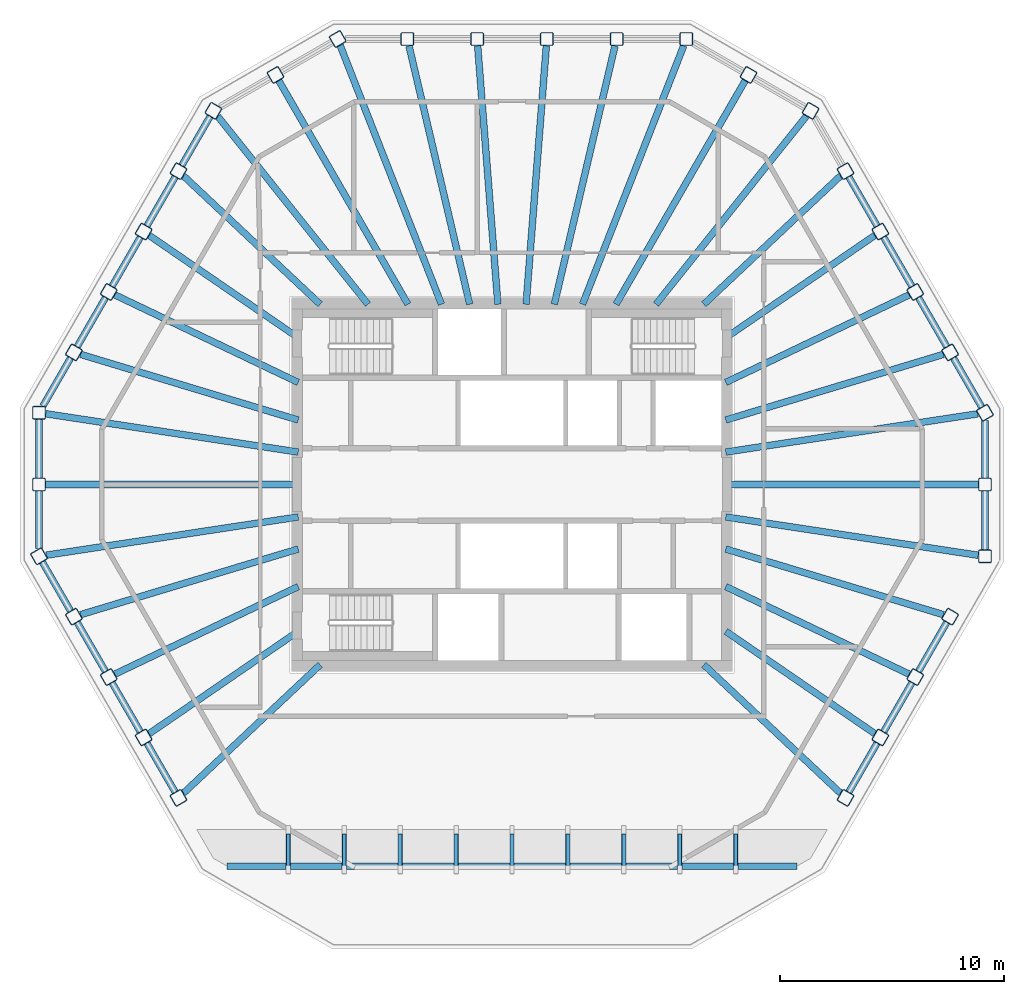
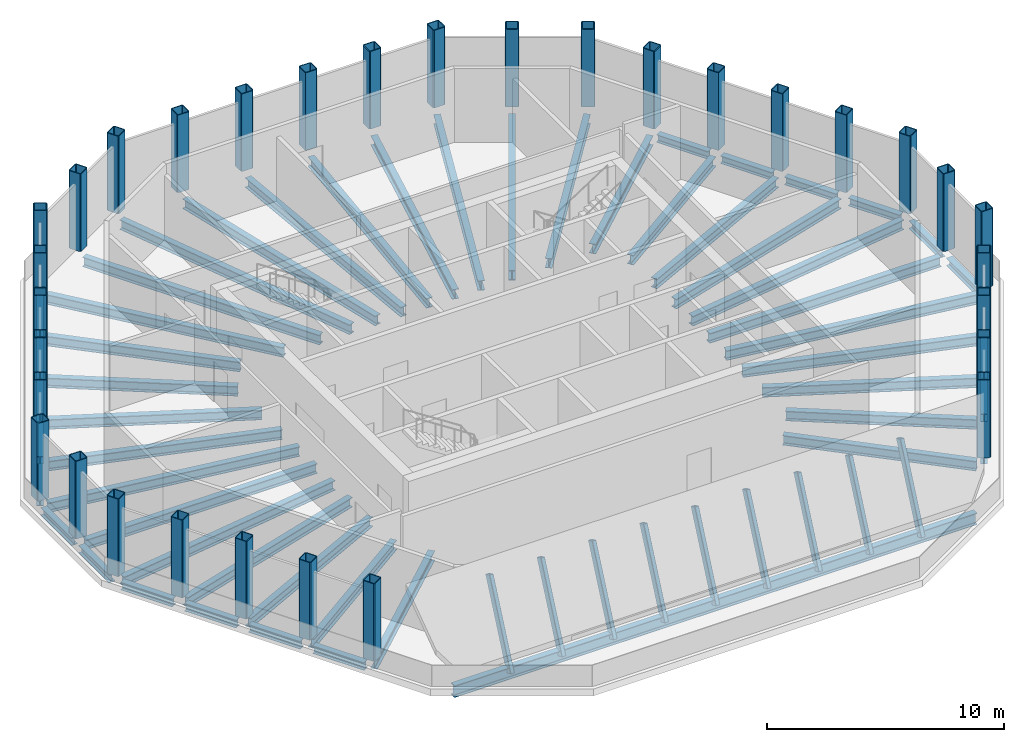
# One storey, part 1 of 5: 53 beams, 32 columns, 9 members.
"""IFC4 building model written with IfcOpenShell, lengths in metres."""

import ifcopenshell
import ifcopenshell.guid

model = None  # the IFC model being written
_history = None  # IfcOwnerHistory: only IFC2X3 demands one
_inside = {}  # id of a spatial element -> (the spatial element, [elements in it])
_under = {}  # id of a project, library or spatial element -> (it, [spatial elements below it])
_declared = {}  # id of a project -> (the project, [libraries it declares])
_typed = {}  # id of a type object -> (the type object, [elements of that type])
_made_of = {}  # id of a material, layer set ... -> (it, [elements and type objects made of it])


def new_model(schema):
    """Start an empty IFC model of exactly this schema.

    Asked for "IFC4X3", IfcOpenShell would pick the latest addendum, in which some entities
    have other attributes; the version numbers below select the first issue.
    IFC2X3 requires an IfcOwnerHistory on every rooted entity: one is made here for all.
    """
    global model, _history
    if schema == "IFC4X3":
        model = ifcopenshell.file(schema_version=(4, 3, 0, 0))
    else:
        model = ifcopenshell.file(schema=schema)
    _inside.clear()
    _under.clear()
    _declared.clear()
    _typed.clear()
    _made_of.clear()
    _history = None
    if model.schema == "IFC2X3":
        org = make("IfcOrganization", Name="unknown")
        user = make(
            "IfcPersonAndOrganization",
            ThePerson=make("IfcPerson", FamilyName="unknown"),
            TheOrganization=org,
        )
        app = make(
            "IfcApplication",
            ApplicationDeveloper=org,
            Version="unknown",
            ApplicationFullName="unknown",
            ApplicationIdentifier="unknown",
        )
        _history = make(
            "IfcOwnerHistory",
            OwningUser=user,
            OwningApplication=app,
            ChangeAction="ADDED",
            CreationDate=0,
        )
    return model


def make(cls, **values):
    """One entity of the class cls with the attributes given. An attribute that is None is left unset."""
    return model.create_entity(
        cls, **{name: value for name, value in values.items() if value is not None}
    )


def rooted(cls, **values):
    """An entity with a GlobalId (a new one), such as an element, a storey or a relation."""
    return make(cls, GlobalId=ifcopenshell.guid.new(), OwnerHistory=_history, **values)


def si_unit(unit_type, name, prefix=None):
    """IfcSIUnit, for example si_unit("LENGTHUNIT", "METRE", prefix="MILLI")."""
    return make("IfcSIUnit", UnitType=unit_type, Prefix=prefix, Name=name)


def assignment(units):
    """IfcUnitAssignment: the units of a project."""
    return None if units is None else make("IfcUnitAssignment", Units=units)


def point(xyz):
    """IfcCartesianPoint."""
    return None if xyz is None else make("IfcCartesianPoint", Coordinates=xyz)


def direction(xyz):
    """IfcDirection."""
    return None if xyz is None else make("IfcDirection", DirectionRatios=xyz)


def frame(location, z_axis=None, x_axis=None):
    """IfcAxis2Placement3D, a coordinate frame: its origin and axes. An axis left out is left unset."""
    return make(
        "IfcAxis2Placement3D",
        Location=point(location),
        Axis=direction(z_axis),
        RefDirection=direction(x_axis),
    )


def frame_2d(location, x_axis=None):
    """IfcAxis2Placement2D, a coordinate frame in the plane: its origin and x axis."""
    return make(
        "IfcAxis2Placement2D", Location=point(location), RefDirection=direction(x_axis)
    )


def origin():
    """The frame at (0, 0, 0) with its axes left unset."""
    return frame((0.0, 0.0, 0.0))


def origin_2d():
    """The frame at (0, 0) in the plane with its x axis left unset."""
    return frame_2d((0.0, 0.0))


def place(relative_to, where):
    """IfcLocalPlacement: puts the frame where relative to a parent placement (None: the world)."""
    return make(
        "IfcLocalPlacement", PlacementRelTo=relative_to, RelativePlacement=where
    )


def context(
    kind, dimensions, precision=None, world=None, true_north=None, identifier=None
):
    """IfcGeometricRepresentationContext, for example the 3D "Model" context."""
    return make(
        "IfcGeometricRepresentationContext",
        ContextIdentifier=identifier,
        ContextType=kind,
        CoordinateSpaceDimension=dimensions,
        Precision=precision,
        WorldCoordinateSystem=world,
        TrueNorth=true_north,
    )


def subcontext(parent, identifier, kind, view, scale=None):
    """IfcGeometricRepresentationSubContext, for example "Body" below "Model"."""
    return make(
        "IfcGeometricRepresentationSubContext",
        ContextIdentifier=identifier,
        ContextType=kind,
        ParentContext=parent,
        TargetScale=scale,
        TargetView=view,
    )


def project(units=None, contexts=None):
    """IfcProject with its units and contexts."""
    return rooted(
        "IfcProject",
        Name="project",
        RepresentationContexts=contexts,
        UnitsInContext=assignment(units),
    )


def spatial(cls, under=None, at=None, **own):
    """A site, building, storey or space (cls), placed at a placement, below another one or the project."""
    s = rooted(cls, ObjectPlacement=at, **own)
    if under is not None:
        _under.setdefault(under.id(), (under, []))[1].append(s)
    return s


def profile(cls, at=None, kind="AREA", **sizes):
    """A parametric profile (cls). Its sizes go by their IFC names, for example OverallWidth=200.0."""
    return make(cls, ProfileType=kind, Position=at, **sizes)


def hollow_rectangle(**sizes):
    """IfcRectangleHollowProfileDef."""
    return profile("IfcRectangleHollowProfileDef", **sizes)


def i_section(**sizes):
    """IfcIShapeProfileDef."""
    return profile("IfcIShapeProfileDef", **sizes)


def extrude(swept, where, along, depth):
    """IfcExtrudedAreaSolid: the profile swept, set in the frame where, extruded along a direction by depth."""
    return make(
        "IfcExtrudedAreaSolid",
        SweptArea=swept,
        Position=where,
        ExtrudedDirection=direction(along),
        Depth=depth,
    )


def shape(context_of_items, identifier, shape_type, items):
    """IfcShapeRepresentation: the items that make up one representation, for example the "Body"."""
    return make(
        "IfcShapeRepresentation",
        ContextOfItems=context_of_items,
        RepresentationIdentifier=identifier,
        RepresentationType=shape_type,
        Items=items,
    )


def material(Name=None, Category=None):
    """IfcMaterial."""
    return make("IfcMaterial", Name=Name, Category=Category)


def material_profile(
    of_material, cross_section, Name=None, Category=None, Priority=None
):
    """IfcMaterialProfile: a cross section and its material."""
    return make(
        "IfcMaterialProfile",
        Name=Name,
        Material=of_material,
        Profile=cross_section,
        Priority=Priority,
        Category=Category,
    )


def profile_set(profiles, Name=None, composite=None):
    """IfcMaterialProfileSet."""
    return make(
        "IfcMaterialProfileSet",
        Name=Name,
        MaterialProfiles=profiles,
        CompositeProfile=composite,
    )


def made_of(thing, what):
    """Note that an element or type object is made of a material, layer set ...; save() writes the relation."""
    if what is not None:
        _made_of.setdefault(what.id(), (what, []))[1].append(thing)
    return thing


def type_object(cls, material=None, **own):
    """A type object (cls), such as IfcWallType, which elements share."""
    return made_of(rooted(cls, **own), material)


def element(
    cls,
    number,
    at=None,
    inside=None,
    cuts=None,
    type_object=None,
    material=None,
    context=None,
    identifier="Body",
    shape_type=None,
    held_by="IfcProductDefinitionShape",
    body=None,
    shapes=None,
    **own,
):
    """One element of the class cls, such as IfcWall. Its Tag is "e" and its number.

    at: its placement. inside: the storey or other place that contains it. cuts: it is an
    opening in that element (IfcRelVoidsElement). A single representation is given by context,
    identifier, shape_type and body (its items); several are given by shapes. held_by: the class
    of the entity that holds the representations. save() writes the other relations.
    """
    e = rooted(cls, Tag="e%d" % number, ObjectPlacement=at, **own)
    if body is not None:
        shapes = [shape(context, identifier, shape_type, body)]
    if shapes is not None:
        e.Representation = make(held_by, Representations=shapes)
    if inside is not None:
        _inside.setdefault(inside.id(), (inside, []))[1].append(e)
    if cuts is not None:
        rooted(
            "IfcRelVoidsElement", RelatingBuildingElement=cuts, RelatedOpeningElement=e
        )
    if type_object is not None:
        _typed.setdefault(type_object.id(), (type_object, []))[1].append(e)
    return made_of(e, material)


def aggregate(whole, parts):
    """IfcRelAggregates: a whole, such as a stair, and the parts it consists of."""
    return rooted("IfcRelAggregates", RelatingObject=whole, RelatedObjects=parts)


def save(model, path):
    """Write the relations noted so far, then the file.

    IfcRelAggregates (storeys below a building ...), IfcRelContainedInSpatialStructure (elements
    in a storey), IfcRelDefinesByType, IfcRelAssociatesMaterial and IfcRelDeclares: one each for
    every whole, place, type object, material and project.
    """
    for whole, parts in _under.values():
        aggregate(whole, parts)
    for where, things in _inside.values():
        rooted(
            "IfcRelContainedInSpatialStructure",
            RelatedElements=things,
            RelatingStructure=where,
        )
    for kind, things in _typed.values():
        rooted("IfcRelDefinesByType", RelatedObjects=things, RelatingType=kind)
    for what, things in _made_of.values():
        rooted("IfcRelAssociatesMaterial", RelatedObjects=things, RelatingMaterial=what)
    for by, libraries in _declared.values():
        rooted("IfcRelDeclares", RelatingContext=by, RelatedDefinitions=libraries)
    model.write(path)


model = new_model("IFC4")

# Units and contexts
model_context = context("Model", 3, precision=1e-05, world=origin(), true_north=direction((0.0, 1.0)))
body_context = subcontext(model_context, "Body", "Model", "MODEL_VIEW")
ifc_project = project(units=[si_unit("LENGTHUNIT", "METRE"), si_unit("AREAUNIT", "SQUARE_METRE"), si_unit("VOLUMEUNIT", "CUBIC_METRE"), si_unit("PLANEANGLEUNIT", "RADIAN"), si_unit("MASSUNIT", "GRAM", prefix="KILO")], contexts=[model_context])

# Site, building, storey
site_placement = place(None, origin())
site = spatial("IfcSite", under=ifc_project, at=site_placement, CompositionType="ELEMENT")
building_placement = place(site_placement, origin())
building = spatial("IfcBuilding", under=site, at=building_placement, Name="Frailejon Research Tower", CompositionType="ELEMENT")
storey_placement = place(building_placement, frame((0.0, 0.0, 344.60009765625)))
storey = spatial("IfcBuildingStorey", under=building, at=storey_placement, Name="L77", CompositionType="ELEMENT", Elevation=344.60009765625)

# Columns
ifc_material_1 = material(Name="Steel S355", Category="steel")
ifc_material_profile_1 = material_profile(ifc_material_1, hollow_rectangle(XDim=0.60009765625, YDim=0.60009765625, WallThickness=0.0400390625, InnerFilletRadius=0.0400390625, OuterFilletRadius=0.080078125, at=origin_2d()), Name="Crown column")
ifc_profile_set_1 = profile_set([ifc_material_profile_1], Name="Steel S355")
column_type = type_object("IfcColumnType", Name="Crown column", PredefinedType="COLUMN", material=ifc_profile_set_1)
for number, where, z_axis, x_axis, name in (
    (1, (21.12744140625, -3.2060546875, 0.0), (0.0, 0.0, 1.0), (0.0, 1.0, 0.0), "Column C01"),
    (2, (21.12744140625, 0.0, 0.0), (0.0, 0.0, 1.0), (0.0, 1.0, 0.0), "Column C02"),
    (3, (21.12744140625, 3.2060546875, 0.0), (0.0, 0.0, 1.0), (-0.5, 0.866025403784, 0.0), "Column C03"),
    (4, (19.570068359375, 5.903564453125, 0.0), (0.0, 0.0, 1.0), (-0.5, 0.866025403784, 0.0), "Column C04"),
    (5, (18.0126953125, 8.601318359375, 0.0), (0.0, 0.0, 1.0), (-0.5, 0.866025403784, 0.0), "Column C05"),
    (6, (16.455078125, 11.298828125, 0.0), (0.0, 0.0, 1.0), (-0.5, 0.866025403784, 0.0), "Column C06"),
    (7, (14.897705078125, 13.996337890625, 0.0), (0.0, 0.0, 1.0), (-0.5, 0.866025403784, 0.0), "Column C07"),
    (8, (13.34033203125, 16.69384765625, 0.0), (0.0, 0.0, 1.0), (-0.866025403784, 0.5, 0.0), "Column C08"),
    (9, (10.563720703125, 18.297119140625, 0.0), (0.0, 0.0, 1.0), (-0.866025403784, 0.5, 0.0), "Column C09"),
    (10, (7.787109375, 19.89990234375, 0.0), (0.0, 0.0, 1.0), (-1.0, 0.0, 0.0), "Column C10"),
    (11, (4.67236328125, 19.89990234375, 0.0), (0.0, 0.0, 1.0), (-1.0, 0.0, 0.0), "Column C11"),
    (12, (1.557373046875, 19.89990234375, 0.0), (0.0, 0.0, 1.0), (-1.0, 0.0, 0.0), "Column C12"),
    (13, (-1.557373046875, 19.89990234375, 0.0), (0.0, 0.0, 1.0), (-1.0, 0.0, 0.0), "Column C13"),
    (14, (-4.67236328125, 19.89990234375, 0.0), (0.0, 0.0, 1.0), (-1.0, 0.0, 0.0), "Column C14"),
    (15, (-7.787109375, 19.89990234375, 0.0), (0.0, 0.0, 1.0), (-0.866025403784, -0.5, 0.0), "Column C15"),
    (16, (-10.563720703125, 18.297119140625, 0.0), (0.0, 0.0, 1.0), (-0.866025403784, -0.5, 0.0), "Column C16"),
    (17, (-13.34033203125, 16.69384765625, 0.0), (0.0, 0.0, 1.0), (-0.5, -0.866025403784, 0.0), "Column C17"),
    (18, (-14.897705078125, 13.996337890625, 0.0), (0.0, 0.0, 1.0), (-0.5, -0.866025403784, 0.0), "Column C18"),
    (19, (-16.455078125, 11.298828125, 0.0), (0.0, 0.0, 1.0), (-0.5, -0.866025403784, 0.0), "Column C19"),
    (20, (-18.0126953125, 8.601318359375, 0.0), (0.0, 0.0, 1.0), (-0.5, -0.866025403784, 0.0), "Column C20"),
    (21, (-19.570068359375, 5.903564453125, 0.0), (0.0, 0.0, 1.0), (-0.5, -0.866025403784, 0.0), "Column C21"),
    (22, (-21.12744140625, 3.2060546875, 0.0), (0.0, 0.0, 1.0), (0.0, -1.0, 0.0), "Column C22"),
    (23, (-21.12744140625, 0.0, 0.0), (0.0, 0.0, 1.0), (0.0, -1.0, 0.0), "Column C23"),
    (24, (-21.12744140625, -3.2060546875, 0.0), (0.0, 0.0, 1.0), (0.5, -0.866025403784, 0.0), "Column C24"),
    (25, (-19.570068359375, -5.903564453125, 0.0), (0.0, 0.0, 1.0), (0.5, -0.866025403784, 0.0), "Column C25"),
    (26, (-18.0126953125, -8.601318359375, 0.0), (0.0, 0.0, 1.0), (0.5, -0.866025403784, 0.0), "Column C26"),
    (27, (-16.455078125, -11.298828125, 0.0), (0.0, 0.0, 1.0), (0.5, -0.866025403784, 0.0), "Column C27"),
    (28, (-14.897705078125, -13.996337890625, 0.0), (0.0, 0.0, 1.0), (0.5, -0.866025403784, 0.0), "Column C28"),
    (29, (14.897705078125, -13.996337890625, 0.0), (0.0, 0.0, 1.0), (0.5, 0.866025403784, 0.0), "Column C39"),
    (30, (16.455078125, -11.298828125, 0.0), (0.0, 0.0, 1.0), (0.5, 0.866025403784, 0.0), "Column C40"),
    (31, (18.0126953125, -8.601318359375, 0.0), (0.0, 0.0, 1.0), (0.5, 0.866025403784, 0.0), "Column C41"),
    (32, (19.570068359375, -5.903564453125, 0.0), (0.0, 0.0, 1.0), (0.5, 0.866025403784, 0.0), "Column C42"),
):
    element("IfcColumn", number, at=place(storey_placement, frame(where, z_axis=z_axis, x_axis=x_axis)), inside=storey, type_object=column_type, Name=name, PredefinedType="COLUMN", context=body_context, shape_type="SweptSolid", body=[
        extrude(hollow_rectangle(XDim=0.60009765625, YDim=0.60009765625, WallThickness=0.0400390625, InnerFilletRadius=0.0400390625, OuterFilletRadius=0.080078125, at=origin_2d()), origin(), (0.0, 0.0, 1.0), 4.0),
    ])

# Beams
ifc_material_2 = material(Name="Steel S355", Category="steel")
ifc_material_profile_2 = material_profile(ifc_material_2, i_section(OverallWidth=0.300048828125, OverallDepth=0.60009765625, WebThickness=0.015380859375, FlangeThickness=0.030029296875, FilletRadius=0.027099609375, at=origin_2d()), Name="HE 600 B")
ifc_profile_set_2 = profile_set([ifc_material_profile_2], Name="Steel S355")
beam_type_1 = type_object("IfcBeamType", Name="Crown chord beam", PredefinedType="BEAM", material=ifc_profile_set_2)
beam_1_placement = place(storey_placement, frame((12.7236328125, -17.050048828125, -0.650146484375), z_axis=(-1.0, 0.0, 0.0), x_axis=(0.0, -1.0, 0.0)))
element("IfcBeam", 33, at=beam_1_placement, inside=storey, type_object=beam_type_1, Name="Crown chord beam", PredefinedType="BEAM", context=body_context, shape_type="SweptSolid", body=[
    extrude(i_section(OverallWidth=0.300048828125, OverallDepth=0.60009765625, WebThickness=0.015380859375, FlangeThickness=0.030029296875, FilletRadius=0.027099609375, at=origin_2d()), origin(), (0.0, 0.0, 1.0), 25.447265625),
])
ifc_material_3 = material(Name="Steel S355", Category="steel")
ifc_material_profile_3 = material_profile(ifc_material_3, i_section(OverallWidth=0.300048828125, OverallDepth=0.5, WebThickness=0.014404296875, FlangeThickness=0.028076171875, FilletRadius=0.027099609375, at=origin_2d()), Name="HE 500 B")
ifc_profile_set_3 = profile_set([ifc_material_profile_3], Name="Steel S355")
beam_type_2 = type_object("IfcBeamType", Name="Crown girder", PredefinedType="BEAM", material=ifc_profile_set_3)
beam_2_placement = place(storey_placement, frame((20.827392578125, -3.16064453125, -0.60009765625), z_axis=(-0.988679931641, 0.150039970575, 0.0), x_axis=(-0.150039970575, -0.988679931641, 0.0)))
element("IfcBeam", 34, at=beam_2_placement, inside=storey, type_object=beam_type_2, Name="Crown girder", PredefinedType="BEAM", context=body_context, shape_type="SweptSolid", body=[
    extrude(i_section(OverallWidth=0.300048828125, OverallDepth=0.5, WebThickness=0.014404296875, FlangeThickness=0.028076171875, FilletRadius=0.027099609375, at=origin_2d()), origin(), (0.0, 0.0, 1.0), 11.406494140625),
])
beam_3_placement = place(storey_placement, frame((20.827392578125, 0.0, -0.60009765625), z_axis=(-1.0, 0.0, 0.0), x_axis=(0.0, -1.0, 0.0)))
element("IfcBeam", 35, at=beam_3_placement, inside=storey, type_object=beam_type_2, Name="Crown girder", PredefinedType="BEAM", context=body_context, shape_type="SweptSolid", body=[
    extrude(i_section(OverallWidth=0.300048828125, OverallDepth=0.5, WebThickness=0.014404296875, FlangeThickness=0.028076171875, FilletRadius=0.027099609375, at=origin_2d()), origin(), (0.0, 0.0, 1.0), 11.27734375),
])
beam_4_placement = place(storey_placement, frame((20.80908203125, 3.15771484375, -0.60009765625), z_axis=(-0.988681897443, -0.150027016465, 0.0), x_axis=(0.150027016465, -0.988681897443, 0.0)))
element("IfcBeam", 36, at=beam_4_placement, inside=storey, type_object=beam_type_2, Name="Crown girder", PredefinedType="BEAM", context=body_context, shape_type="SweptSolid", body=[
    extrude(i_section(OverallWidth=0.300048828125, OverallDepth=0.5, WebThickness=0.014404296875, FlangeThickness=0.028076171875, FilletRadius=0.027099609375, at=origin_2d()), origin(), (0.0, 0.0, 1.0), 11.387939453125),
])
beam_5_placement = place(storey_placement, frame((19.275146484375, 5.814697265625, -0.60009765625), z_axis=(-0.957383273928, -0.288820475041, 0.0), x_axis=(0.288820475041, -0.957383273928, 0.0)))
element("IfcBeam", 37, at=beam_5_placement, inside=storey, type_object=beam_type_2, Name="Crown girder", PredefinedType="BEAM", context=body_context, shape_type="SweptSolid", body=[
    extrude(i_section(OverallWidth=0.300048828125, OverallDepth=0.5, WebThickness=0.014404296875, FlangeThickness=0.028076171875, FilletRadius=0.027099609375, at=origin_2d()), origin(), (0.0, 0.0, 1.0), 10.157958984375),
])
beam_6_placement = place(storey_placement, frame((17.7412109375, 8.471435546875, -0.60009765625), z_axis=(-0.902407599348, -0.430883423491, 0.0), x_axis=(0.430883423491, -0.902407599348, 0.0)))
element("IfcBeam", 38, at=beam_6_placement, inside=storey, type_object=beam_type_2, Name="Crown girder", PredefinedType="BEAM", context=body_context, shape_type="SweptSolid", body=[
    extrude(i_section(OverallWidth=0.300048828125, OverallDepth=0.5, WebThickness=0.014404296875, FlangeThickness=0.028076171875, FilletRadius=0.027099609375, at=origin_2d()), origin(), (0.0, 0.0, 1.0), 9.076904296875),
])
beam_7_placement = place(storey_placement, frame((16.20703125, 11.12841796875, -0.60009765625), z_axis=(-0.824367295754, -0.566055263814, 0.0), x_axis=(0.566055263814, -0.824367295754, 0.0)))
element("IfcBeam", 39, at=beam_7_placement, inside=storey, type_object=beam_type_2, Name="Crown girder", PredefinedType="BEAM", context=body_context, shape_type="SweptSolid", body=[
    extrude(i_section(OverallWidth=0.300048828125, OverallDepth=0.5, WebThickness=0.014404296875, FlangeThickness=0.028076171875, FilletRadius=0.027099609375, at=origin_2d()), origin(), (0.0, 0.0, 1.0), 8.0751953125),
])
beam_8_placement = place(storey_placement, frame((14.673095703125, 13.785400390625, -0.60009765625), z_axis=(-0.728812369992, -0.684713465141, 0.0), x_axis=(0.684713465141, -0.728812369992, 0.0)))
element("IfcBeam", 40, at=beam_8_placement, inside=storey, type_object=beam_type_2, Name="Crown girder", PredefinedType="BEAM", context=body_context, shape_type="SweptSolid", body=[
    extrude(i_section(OverallWidth=0.300048828125, OverallDepth=0.5, WebThickness=0.014404296875, FlangeThickness=0.028076171875, FilletRadius=0.027099609375, at=origin_2d()), origin(), (0.0, 0.0, 1.0), 8.376220703125),
])
beam_9_placement = place(storey_placement, frame((13.15087890625, 16.456787109375, -0.60009765625), z_axis=(-0.624277186009, -0.781202915399, 0.0), x_axis=(0.781202915399, -0.624277186009, 0.0)))
element("IfcBeam", 41, at=beam_9_placement, inside=storey, type_object=beam_type_2, Name="Crown girder", PredefinedType="BEAM", context=body_context, shape_type="SweptSolid", body=[
    extrude(i_section(OverallWidth=0.300048828125, OverallDepth=0.5, WebThickness=0.014404296875, FlangeThickness=0.028076171875, FilletRadius=0.027099609375, at=origin_2d()), origin(), (0.0, 0.0, 1.0), 10.76123046875),
])
beam_10_placement = place(storey_placement, frame((10.413818359375, 18.037109375, -0.60009765625), z_axis=(-0.500005279996, -0.866022355356, 0.0), x_axis=(0.866022355356, -0.500005279996, 0.0)))
element("IfcBeam", 42, at=beam_10_placement, inside=storey, type_object=beam_type_2, Name="Crown girder", PredefinedType="BEAM", context=body_context, shape_type="SweptSolid", body=[
    extrude(i_section(OverallWidth=0.300048828125, OverallDepth=0.5, WebThickness=0.014404296875, FlangeThickness=0.028076171875, FilletRadius=0.027099609375, at=origin_2d()), origin(), (0.0, 0.0, 1.0), 11.5322265625),
])
beam_11_placement = place(storey_placement, frame((7.669921875, 19.60009765625, -0.60009765625), z_axis=(-0.364412707951, -0.931237552015, 0.0), x_axis=(0.931237552015, -0.364412707951, 0.0)))
element("IfcBeam", 43, at=beam_11_placement, inside=storey, type_object=beam_type_2, Name="Crown girder", PredefinedType="BEAM", context=body_context, shape_type="SweptSolid", body=[
    extrude(i_section(OverallWidth=0.300048828125, OverallDepth=0.5, WebThickness=0.014404296875, FlangeThickness=0.028076171875, FilletRadius=0.027099609375, at=origin_2d()), origin(), (0.0, 0.0, 1.0), 12.40283203125),
])
beam_12_placement = place(storey_placement, frame((4.601806640625, 19.60009765625, -0.60009765625), z_axis=(-0.228561016932, -0.973529589452, 0.0), x_axis=(0.973529589452, -0.228561016932, 0.0)))
element("IfcBeam", 44, at=beam_12_placement, inside=storey, type_object=beam_type_2, Name="Crown girder", PredefinedType="BEAM", context=body_context, shape_type="SweptSolid", body=[
    extrude(i_section(OverallWidth=0.300048828125, OverallDepth=0.5, WebThickness=0.014404296875, FlangeThickness=0.028076171875, FilletRadius=0.027099609375, at=origin_2d()), origin(), (0.0, 0.0, 1.0), 11.864013671875),
])
for number, where, z_axis, x_axis, name in (
    (45, (1.533935546875, 19.60009765625, -0.60009765625), (-0.078033956508, -0.996950701706, 0.0), (0.996950701706, -0.078033956508, 0.0), "Crown girder"),
    (46, (-1.533935546875, 19.60009765625, -0.60009765625), (0.078033956508, -0.996950701706, 0.0), (0.996950701706, 0.078033956508, 0.0), "Crown girder"),
):
    element("IfcBeam", number, at=place(storey_placement, frame(where, z_axis=z_axis, x_axis=x_axis)), inside=storey, type_object=beam_type_2, Name=name, PredefinedType="BEAM", context=body_context, shape_type="SweptSolid", body=[
        extrude(i_section(OverallWidth=0.300048828125, OverallDepth=0.5, WebThickness=0.014404296875, FlangeThickness=0.028076171875, FilletRadius=0.027099609375, at=origin_2d()), origin(), (0.0, 0.0, 1.0), 11.58544921875),
    ])
beam_13_placement = place(storey_placement, frame((-4.601806640625, 19.60009765625, -0.60009765625), z_axis=(0.228561016932, -0.973529589452, 0.0), x_axis=(0.973529589452, 0.228561016932, 0.0)))
element("IfcBeam", 47, at=beam_13_placement, inside=storey, type_object=beam_type_2, Name="Crown girder", PredefinedType="BEAM", context=body_context, shape_type="SweptSolid", body=[
    extrude(i_section(OverallWidth=0.300048828125, OverallDepth=0.5, WebThickness=0.014404296875, FlangeThickness=0.028076171875, FilletRadius=0.027099609375, at=origin_2d()), origin(), (0.0, 0.0, 1.0), 11.864013671875),
])
beam_14_placement = place(storey_placement, frame((-7.676513671875, 19.617431640625, -0.60009765625), z_axis=(0.364399348581, -0.931242779706, 0.0), x_axis=(0.931242779706, 0.364399348581, 0.0)))
element("IfcBeam", 48, at=beam_14_placement, inside=storey, type_object=beam_type_2, Name="Crown girder", PredefinedType="BEAM", context=body_context, shape_type="SweptSolid", body=[
    extrude(i_section(OverallWidth=0.300048828125, OverallDepth=0.5, WebThickness=0.014404296875, FlangeThickness=0.028076171875, FilletRadius=0.027099609375, at=origin_2d()), origin(), (0.0, 0.0, 1.0), 12.42138671875),
])
beam_15_placement = place(storey_placement, frame((-10.413818359375, 18.037109375, -0.60009765625), z_axis=(0.500005279996, -0.866022355356, 0.0), x_axis=(0.866022355356, 0.500005279996, 0.0)))
element("IfcBeam", 49, at=beam_15_placement, inside=storey, type_object=beam_type_2, Name="Crown girder", PredefinedType="BEAM", context=body_context, shape_type="SweptSolid", body=[
    extrude(i_section(OverallWidth=0.300048828125, OverallDepth=0.5, WebThickness=0.014404296875, FlangeThickness=0.028076171875, FilletRadius=0.027099609375, at=origin_2d()), origin(), (0.0, 0.0, 1.0), 11.5322265625),
])
beam_16_placement = place(storey_placement, frame((-13.13916015625, 16.442138671875, -0.60009765625), z_axis=(0.624276456161, -0.781203498637, 0.0), x_axis=(0.781203498637, 0.624276456161, 0.0)))
element("IfcBeam", 50, at=beam_16_placement, inside=storey, type_object=beam_type_2, Name="Crown girder", PredefinedType="BEAM", context=body_context, shape_type="SweptSolid", body=[
    extrude(i_section(OverallWidth=0.300048828125, OverallDepth=0.5, WebThickness=0.014404296875, FlangeThickness=0.028076171875, FilletRadius=0.027099609375, at=origin_2d()), origin(), (0.0, 0.0, 1.0), 10.742431640625),
])
beam_17_placement = place(storey_placement, frame((-14.673095703125, 13.785400390625, -0.60009765625), z_axis=(0.728812369992, -0.684713465141, 0.0), x_axis=(0.684713465141, 0.728812369992, 0.0)))
element("IfcBeam", 51, at=beam_17_placement, inside=storey, type_object=beam_type_2, Name="Crown girder", PredefinedType="BEAM", context=body_context, shape_type="SweptSolid", body=[
    extrude(i_section(OverallWidth=0.300048828125, OverallDepth=0.5, WebThickness=0.014404296875, FlangeThickness=0.028076171875, FilletRadius=0.027099609375, at=origin_2d()), origin(), (0.0, 0.0, 1.0), 8.376220703125),
])
beam_18_placement = place(storey_placement, frame((-16.20703125, 11.12841796875, -0.60009765625), z_axis=(0.824367295754, -0.566055263814, 0.0), x_axis=(0.566055263814, 0.824367295754, 0.0)))
element("IfcBeam", 52, at=beam_18_placement, inside=storey, type_object=beam_type_2, Name="Crown girder", PredefinedType="BEAM", context=body_context, shape_type="SweptSolid", body=[
    extrude(i_section(OverallWidth=0.300048828125, OverallDepth=0.5, WebThickness=0.014404296875, FlangeThickness=0.028076171875, FilletRadius=0.027099609375, at=origin_2d()), origin(), (0.0, 0.0, 1.0), 8.0751953125),
])
beam_19_placement = place(storey_placement, frame((-17.7412109375, 8.471435546875, -0.60009765625), z_axis=(0.902407599348, -0.430883423491, 0.0), x_axis=(0.430883423491, 0.902407599348, 0.0)))
element("IfcBeam", 53, at=beam_19_placement, inside=storey, type_object=beam_type_2, Name="Crown girder", PredefinedType="BEAM", context=body_context, shape_type="SweptSolid", body=[
    extrude(i_section(OverallWidth=0.300048828125, OverallDepth=0.5, WebThickness=0.014404296875, FlangeThickness=0.028076171875, FilletRadius=0.027099609375, at=origin_2d()), origin(), (0.0, 0.0, 1.0), 9.076904296875),
])
beam_20_placement = place(storey_placement, frame((-19.275146484375, 5.814697265625, -0.60009765625), z_axis=(0.957383273928, -0.288820475041, 0.0), x_axis=(0.288820475041, 0.957383273928, 0.0)))
element("IfcBeam", 54, at=beam_20_placement, inside=storey, type_object=beam_type_2, Name="Crown girder", PredefinedType="BEAM", context=body_context, shape_type="SweptSolid", body=[
    extrude(i_section(OverallWidth=0.300048828125, OverallDepth=0.5, WebThickness=0.014404296875, FlangeThickness=0.028076171875, FilletRadius=0.027099609375, at=origin_2d()), origin(), (0.0, 0.0, 1.0), 10.157958984375),
])
beam_21_placement = place(storey_placement, frame((-20.827392578125, 3.16064453125, -0.60009765625), z_axis=(0.988679931641, -0.150039970575, 0.0), x_axis=(0.150039970575, 0.988679931641, 0.0)))
element("IfcBeam", 55, at=beam_21_placement, inside=storey, type_object=beam_type_2, Name="Crown girder", PredefinedType="BEAM", context=body_context, shape_type="SweptSolid", body=[
    extrude(i_section(OverallWidth=0.300048828125, OverallDepth=0.5, WebThickness=0.014404296875, FlangeThickness=0.028076171875, FilletRadius=0.027099609375, at=origin_2d()), origin(), (0.0, 0.0, 1.0), 11.406494140625),
])
beam_22_placement = place(storey_placement, frame((-20.827392578125, 0.0, -0.60009765625), z_axis=(1.0, 0.0, 0.0), x_axis=(0.0, 1.0, 0.0)))
element("IfcBeam", 56, at=beam_22_placement, inside=storey, type_object=beam_type_2, Name="Crown girder", PredefinedType="BEAM", context=body_context, shape_type="SweptSolid", body=[
    extrude(i_section(OverallWidth=0.300048828125, OverallDepth=0.5, WebThickness=0.014404296875, FlangeThickness=0.028076171875, FilletRadius=0.027099609375, at=origin_2d()), origin(), (0.0, 0.0, 1.0), 11.27734375),
])
beam_23_placement = place(storey_placement, frame((-20.80908203125, -3.15771484375, -0.60009765625), z_axis=(0.988681897443, 0.150027016465, 0.0), x_axis=(-0.150027016465, 0.988681897443, 0.0)))
element("IfcBeam", 57, at=beam_23_placement, inside=storey, type_object=beam_type_2, Name="Crown girder", PredefinedType="BEAM", context=body_context, shape_type="SweptSolid", body=[
    extrude(i_section(OverallWidth=0.300048828125, OverallDepth=0.5, WebThickness=0.014404296875, FlangeThickness=0.028076171875, FilletRadius=0.027099609375, at=origin_2d()), origin(), (0.0, 0.0, 1.0), 11.387939453125),
])
beam_24_placement = place(storey_placement, frame((-19.275146484375, -5.814697265625, -0.60009765625), z_axis=(0.957383273928, 0.288820475041, 0.0), x_axis=(-0.288820475041, 0.957383273928, 0.0)))
element("IfcBeam", 58, at=beam_24_placement, inside=storey, type_object=beam_type_2, Name="Crown girder", PredefinedType="BEAM", context=body_context, shape_type="SweptSolid", body=[
    extrude(i_section(OverallWidth=0.300048828125, OverallDepth=0.5, WebThickness=0.014404296875, FlangeThickness=0.028076171875, FilletRadius=0.027099609375, at=origin_2d()), origin(), (0.0, 0.0, 1.0), 10.157958984375),
])
beam_25_placement = place(storey_placement, frame((-17.7412109375, -8.471435546875, -0.60009765625), z_axis=(0.902407599348, 0.430883423491, 0.0), x_axis=(-0.430883423491, 0.902407599348, 0.0)))
element("IfcBeam", 59, at=beam_25_placement, inside=storey, type_object=beam_type_2, Name="Crown girder", PredefinedType="BEAM", context=body_context, shape_type="SweptSolid", body=[
    extrude(i_section(OverallWidth=0.300048828125, OverallDepth=0.5, WebThickness=0.014404296875, FlangeThickness=0.028076171875, FilletRadius=0.027099609375, at=origin_2d()), origin(), (0.0, 0.0, 1.0), 9.076904296875),
])
beam_26_placement = place(storey_placement, frame((-16.20703125, -11.12841796875, -0.60009765625), z_axis=(0.824367295754, 0.566055263814, 0.0), x_axis=(-0.566055263814, 0.824367295754, 0.0)))
element("IfcBeam", 60, at=beam_26_placement, inside=storey, type_object=beam_type_2, Name="Crown girder", PredefinedType="BEAM", context=body_context, shape_type="SweptSolid", body=[
    extrude(i_section(OverallWidth=0.300048828125, OverallDepth=0.5, WebThickness=0.014404296875, FlangeThickness=0.028076171875, FilletRadius=0.027099609375, at=origin_2d()), origin(), (0.0, 0.0, 1.0), 8.0751953125),
])
for number, where, z_axis, x_axis, name in (
    (61, (-14.673095703125, -13.785400390625, -0.60009765625), (0.728812369992, 0.684713465141, 0.0), (-0.684713465141, 0.728812369992, 0.0), "Crown girder"),
    (62, (14.673095703125, -13.785400390625, -0.60009765625), (-0.728812369992, 0.684713465141, 0.0), (-0.684713465141, -0.728812369992, 0.0), "Crown girder"),
):
    element("IfcBeam", number, at=place(storey_placement, frame(where, z_axis=z_axis, x_axis=x_axis)), inside=storey, type_object=beam_type_2, Name=name, PredefinedType="BEAM", context=body_context, shape_type="SweptSolid", body=[
        extrude(i_section(OverallWidth=0.300048828125, OverallDepth=0.5, WebThickness=0.014404296875, FlangeThickness=0.028076171875, FilletRadius=0.027099609375, at=origin_2d()), origin(), (0.0, 0.0, 1.0), 8.376220703125),
    ])
beam_27_placement = place(storey_placement, frame((16.20703125, -11.12841796875, -0.60009765625), z_axis=(-0.824367295754, 0.566055263814, 0.0), x_axis=(-0.566055263814, -0.824367295754, 0.0)))
element("IfcBeam", 63, at=beam_27_placement, inside=storey, type_object=beam_type_2, Name="Crown girder", PredefinedType="BEAM", context=body_context, shape_type="SweptSolid", body=[
    extrude(i_section(OverallWidth=0.300048828125, OverallDepth=0.5, WebThickness=0.014404296875, FlangeThickness=0.028076171875, FilletRadius=0.027099609375, at=origin_2d()), origin(), (0.0, 0.0, 1.0), 8.0751953125),
])
beam_28_placement = place(storey_placement, frame((17.7412109375, -8.471435546875, -0.60009765625), z_axis=(-0.902407599348, 0.430883423491, 0.0), x_axis=(-0.430883423491, -0.902407599348, 0.0)))
element("IfcBeam", 64, at=beam_28_placement, inside=storey, type_object=beam_type_2, Name="Crown girder", PredefinedType="BEAM", context=body_context, shape_type="SweptSolid", body=[
    extrude(i_section(OverallWidth=0.300048828125, OverallDepth=0.5, WebThickness=0.014404296875, FlangeThickness=0.028076171875, FilletRadius=0.027099609375, at=origin_2d()), origin(), (0.0, 0.0, 1.0), 9.076904296875),
])
beam_29_placement = place(storey_placement, frame((19.275146484375, -5.814697265625, -0.60009765625), z_axis=(-0.957383273928, 0.288820475041, 0.0), x_axis=(-0.288820475041, -0.957383273928, 0.0)))
element("IfcBeam", 65, at=beam_29_placement, inside=storey, type_object=beam_type_2, Name="Crown girder", PredefinedType="BEAM", context=body_context, shape_type="SweptSolid", body=[
    extrude(i_section(OverallWidth=0.300048828125, OverallDepth=0.5, WebThickness=0.014404296875, FlangeThickness=0.028076171875, FilletRadius=0.027099609375, at=origin_2d()), origin(), (0.0, 0.0, 1.0), 10.157958984375),
])

# Members
ifc_material_4 = material(Name="Steel S355", Category="steel")
ifc_material_profile_4 = material_profile(ifc_material_4, hollow_rectangle(XDim=0.199951171875, YDim=0.39990234375, WallThickness=0.01611328125, InnerFilletRadius=0.01611328125, OuterFilletRadius=0.031982421875, at=origin_2d()), Name="Crown rafter")
ifc_profile_set_4 = profile_set([ifc_material_profile_4], Name="Steel S355")
member_type = type_object("IfcMemberType", Name="Crown rafter", PredefinedType="RAFTER", material=ifc_profile_set_4)
for number, where, z_axis, x_axis, name in (
    (66, (10.0, -17.199951171875, -0.61474609375), (0.0, 0.406707475858, 0.913558443167), (-1.0, 0.0, 0.0), "Crown frame rafter"),
    (67, (7.5, -17.199951171875, -0.61474609375), (0.0, 0.406707475858, 0.913558443167), (-1.0, 0.0, 0.0), "Crown frame rafter"),
    (68, (5.0, -17.199951171875, -0.61474609375), (0.0, 0.406707475858, 0.913558443167), (-1.0, 0.0, 0.0), "Crown frame rafter"),
    (69, (2.5, -17.199951171875, -0.61474609375), (0.0, 0.406707475858, 0.913558443167), (-1.0, 0.0, 0.0), "Crown frame rafter"),
    (70, (0.0, -17.199951171875, -0.61474609375), (0.0, 0.406707475858, 0.913558443167), (-1.0, 0.0, 0.0), "Crown frame rafter"),
    (71, (-2.5, -17.199951171875, -0.61474609375), (0.0, 0.406707475858, 0.913558443167), (-1.0, 0.0, 0.0), "Crown frame rafter"),
    (72, (-5.0, -17.199951171875, -0.61474609375), (0.0, 0.406707475858, 0.913558443167), (-1.0, 0.0, 0.0), "Crown frame rafter"),
    (73, (-7.5, -17.199951171875, -0.61474609375), (0.0, 0.406707475858, 0.913558443167), (-1.0, 0.0, 0.0), "Crown frame rafter"),
    (74, (-10.0, -17.199951171875, -0.61474609375), (0.0, 0.406707475858, 0.913558443167), (-1.0, 0.0, 0.0), "Crown frame rafter"),
):
    element("IfcMember", number, at=place(storey_placement, frame(where, z_axis=z_axis, x_axis=x_axis)), inside=storey, type_object=member_type, Name=name, PredefinedType="RAFTER", context=body_context, shape_type="SweptSolid", body=[
        extrude(hollow_rectangle(XDim=0.199951171875, YDim=0.39990234375, WallThickness=0.01611328125, InnerFilletRadius=0.01611328125, OuterFilletRadius=0.031982421875, at=origin_2d()), origin(), (0.0, 0.0, 1.0), 4.37841796875),
    ])

# Beams
ifc_material_5 = material(Name="Steel S355", Category="steel")
ifc_material_profile_5 = material_profile(ifc_material_5, i_section(OverallWidth=0.300048828125, OverallDepth=0.39990234375, WebThickness=0.013427734375, FlangeThickness=0.02392578125, FilletRadius=0.027099609375, at=origin_2d()), Name="HE 400 B")
ifc_profile_set_5 = profile_set([ifc_material_profile_5], Name="Steel S355")
beam_type_3 = type_object("IfcBeamType", Name="Crown ring beam", PredefinedType="BEAM", material=ifc_profile_set_5)
beam_30_placement = place(storey_placement, frame((21.12744140625, -2.906005859375, -0.550048828125), z_axis=(0.0, 1.0, 0.0), x_axis=(-1.0, 0.0, 0.0)))
element("IfcBeam", 75, at=beam_30_placement, inside=storey, type_object=beam_type_3, Name="Crown ring beam", PredefinedType="BEAM", context=body_context, shape_type="SweptSolid", body=[
    extrude(i_section(OverallWidth=0.300048828125, OverallDepth=0.39990234375, WebThickness=0.013427734375, FlangeThickness=0.02392578125, FilletRadius=0.027099609375, at=origin_2d()), origin(), (0.0, 0.0, 1.0), 2.60595703125),
])
beam_31_placement = place(storey_placement, frame((21.12744140625, 0.300048828125, -0.550048828125), z_axis=(0.0, 1.0, 0.0), x_axis=(-1.0, 0.0, 0.0)))
element("IfcBeam", 76, at=beam_31_placement, inside=storey, type_object=beam_type_3, Name="Crown ring beam", PredefinedType="BEAM", context=body_context, shape_type="SweptSolid", body=[
    extrude(i_section(OverallWidth=0.300048828125, OverallDepth=0.39990234375, WebThickness=0.013427734375, FlangeThickness=0.02392578125, FilletRadius=0.027099609375, at=origin_2d()), origin(), (0.0, 0.0, 1.0), 2.5595703125),
])
for number, where, z_axis, x_axis, name in (
    (77, (20.9775390625, 3.4658203125, -0.550048828125), (-0.499960554673, 0.866048176357, 0.0), (-0.866048176357, -0.499960554673, 0.0), "Crown ring beam"),
    (78, (19.420166015625, 6.163330078125, -0.550048828125), (-0.500033362991, 0.866006140796, 0.0), (-0.866006140796, -0.500033362991, 0.0), "Crown ring beam"),
    (79, (17.862548828125, 8.861083984375, -0.550048828125), (-0.499960554673, 0.866048176357, 0.0), (-0.866048176357, -0.499960554673, 0.0), "Crown ring beam"),
    (80, (16.30517578125, 11.55859375, -0.550048828125), (-0.500033362991, 0.866006140796, 0.0), (-0.866006140796, -0.500033362991, 0.0), "Crown ring beam"),
    (81, (-13.490234375, 16.43408203125, -0.550048828125), (-0.500033362991, -0.866006140796, 0.0), (0.866006140796, -0.500033362991, 0.0), "Crown ring beam"),
    (82, (-15.047607421875, 13.736572265625, -0.550048828125), (-0.500033362991, -0.866006140796, 0.0), (0.866006140796, -0.500033362991, 0.0), "Crown ring beam"),
    (83, (-16.605224609375, 11.0390625, -0.550048828125), (-0.499960554673, -0.866048176357, 0.0), (0.866048176357, -0.499960554673, 0.0), "Crown ring beam"),
    (84, (-18.16259765625, 8.34130859375, -0.550048828125), (-0.500033362991, -0.866006140796, 0.0), (0.866006140796, -0.500033362991, 0.0), "Crown ring beam"),
):
    element("IfcBeam", number, at=place(storey_placement, frame(where, z_axis=z_axis, x_axis=x_axis)), inside=storey, type_object=beam_type_3, Name=name, PredefinedType="BEAM", context=body_context, shape_type="SweptSolid", body=[
        extrude(i_section(OverallWidth=0.300048828125, OverallDepth=0.39990234375, WebThickness=0.013427734375, FlangeThickness=0.02392578125, FilletRadius=0.027099609375, at=origin_2d()), origin(), (0.0, 0.0, 1.0), 2.514892578125),
    ])
beam_32_placement = place(storey_placement, frame((-19.72021484375, 5.643798828125, -0.550048828125), z_axis=(-0.499979306572, -0.866037350811, 0.0), x_axis=(0.866037350811, -0.499979306572, 0.0)))
element("IfcBeam", 85, at=beam_32_placement, inside=storey, type_object=beam_type_3, Name="Crown ring beam", PredefinedType="BEAM", context=body_context, shape_type="SweptSolid", body=[
    extrude(i_section(OverallWidth=0.300048828125, OverallDepth=0.39990234375, WebThickness=0.013427734375, FlangeThickness=0.02392578125, FilletRadius=0.027099609375, at=origin_2d()), origin(), (0.0, 0.0, 1.0), 2.46826171875),
])
beam_33_placement = place(storey_placement, frame((-21.12744140625, 2.906005859375, -0.550048828125), z_axis=(0.0, -1.0, 0.0), x_axis=(1.0, 0.0, 0.0)))
element("IfcBeam", 86, at=beam_33_placement, inside=storey, type_object=beam_type_3, Name="Crown ring beam", PredefinedType="BEAM", context=body_context, shape_type="SweptSolid", body=[
    extrude(i_section(OverallWidth=0.300048828125, OverallDepth=0.39990234375, WebThickness=0.013427734375, FlangeThickness=0.02392578125, FilletRadius=0.027099609375, at=origin_2d()), origin(), (0.0, 0.0, 1.0), 2.60595703125),
])
beam_34_placement = place(storey_placement, frame((-21.12744140625, -0.300048828125, -0.550048828125), z_axis=(0.0, -1.0, 0.0), x_axis=(1.0, 0.0, 0.0)))
element("IfcBeam", 87, at=beam_34_placement, inside=storey, type_object=beam_type_3, Name="Crown ring beam", PredefinedType="BEAM", context=body_context, shape_type="SweptSolid", body=[
    extrude(i_section(OverallWidth=0.300048828125, OverallDepth=0.39990234375, WebThickness=0.013427734375, FlangeThickness=0.02392578125, FilletRadius=0.027099609375, at=origin_2d()), origin(), (0.0, 0.0, 1.0), 2.5595703125),
])
for number, where, z_axis, x_axis, name in (
    (88, (-20.9775390625, -3.4658203125, -0.550048828125), (0.499960554673, -0.866048176357, 0.0), (0.866048176357, 0.499960554673, 0.0), "Crown ring beam"),
    (89, (-19.420166015625, -6.163330078125, -0.550048828125), (0.500033362991, -0.866006140796, 0.0), (0.866006140796, 0.500033362991, 0.0), "Crown ring beam"),
    (90, (-17.862548828125, -8.861083984375, -0.550048828125), (0.499960554673, -0.866048176357, 0.0), (0.866048176357, 0.499960554673, 0.0), "Crown ring beam"),
    (91, (-16.30517578125, -11.55859375, -0.550048828125), (0.500033362991, -0.866006140796, 0.0), (0.866006140796, 0.500033362991, 0.0), "Crown ring beam"),
    (92, (15.047607421875, -13.736572265625, -0.550048828125), (0.500033362991, 0.866006140796, 0.0), (-0.866006140796, 0.500033362991, 0.0), "Crown ring beam"),
    (93, (16.605224609375, -11.0390625, -0.550048828125), (0.499960554673, 0.866048176357, 0.0), (-0.866048176357, 0.499960554673, 0.0), "Crown ring beam"),
    (94, (18.16259765625, -8.34130859375, -0.550048828125), (0.500033362991, 0.866006140796, 0.0), (-0.866006140796, 0.500033362991, 0.0), "Crown ring beam"),
):
    element("IfcBeam", number, at=place(storey_placement, frame(where, z_axis=z_axis, x_axis=x_axis)), inside=storey, type_object=beam_type_3, Name=name, PredefinedType="BEAM", context=body_context, shape_type="SweptSolid", body=[
        extrude(i_section(OverallWidth=0.300048828125, OverallDepth=0.39990234375, WebThickness=0.013427734375, FlangeThickness=0.02392578125, FilletRadius=0.027099609375, at=origin_2d()), origin(), (0.0, 0.0, 1.0), 2.514892578125),
    ])

save(model, "model.ifc")
